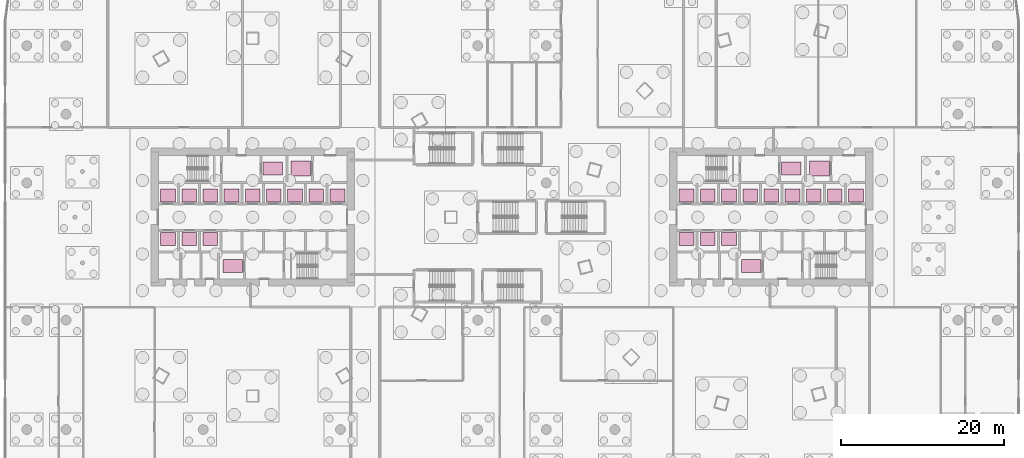
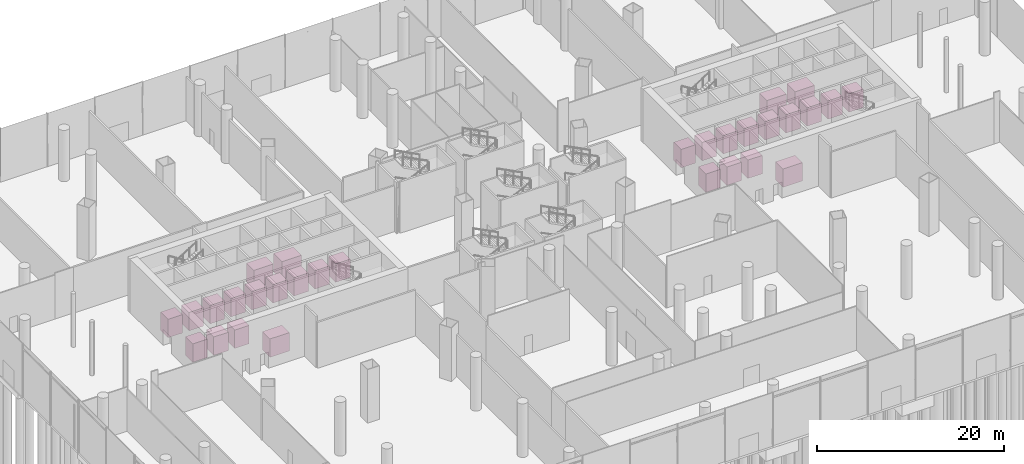
# One storey, part 41 of 41: 30 transport elements.
"""IFC4 building model written with IfcOpenShell, lengths in metres."""

from ifc_helpers import new_model, si_unit, direction, frame, origin, origin_2d, place, context, subcontext, project, spatial, rectangle, extrude, material, type_object, element, save


model = new_model("IFC4")

# Units and contexts
model_context = context("Model", 3, precision=1e-05, world=origin(), true_north=direction((0.0, 1.0)))
body_context = subcontext(model_context, "Body", "Model", "MODEL_VIEW")
ifc_project = project(units=[si_unit("LENGTHUNIT", "METRE"), si_unit("AREAUNIT", "SQUARE_METRE"), si_unit("VOLUMEUNIT", "CUBIC_METRE"), si_unit("PLANEANGLEUNIT", "RADIAN"), si_unit("MASSUNIT", "GRAM", prefix="KILO")], contexts=[model_context])

# Site, building, storey
site_placement = place(None, origin())
site = spatial("IfcSite", under=ifc_project, at=site_placement, CompositionType="ELEMENT")
building_placement = place(site_placement, origin())
building = spatial("IfcBuilding", under=site, at=building_placement, Name="Rimbun Link Towers", CompositionType="ELEMENT")
storey_placement = place(building_placement, origin())
storey = spatial("IfcBuildingStorey", under=building, at=storey_placement, Name="L00", CompositionType="ELEMENT", Elevation=0.0)

# Transport elements
ifc_material_1 = material(Name="Stainless steel grade 316", Category="steel")
transport_element_type_1 = type_object("IfcTransportElementType", Name="Firefighting lift car", PredefinedType="ELEVATOR", material=ifc_material_1)
for number, where, z_axis, x_axis, name in (
    (1, (-29.300048828125, 5.97509765625, 0.0), (0.0, 0.0, 1.0), (1.0, 0.0, 0.0), "Firefighting lift FF1 car T1"),
    (2, (-34.199951171875, -5.97509765625, 0.0), (0.0, 0.0, 1.0), (1.0, 0.0, 0.0), "Firefighting lift FF2 car T1"),
    (3, (34.199951171875, 5.97509765625, 0.0), (0.0, 0.0, 1.0), (1.0, 0.0, 0.0), "Firefighting lift FF1 car T2"),
    (4, (29.300048828125, -5.97509765625, 0.0), (0.0, 0.0, 1.0), (1.0, 0.0, 0.0), "Firefighting lift FF2 car T2"),
):
    element("IfcTransportElement", number, at=place(storey_placement, frame(where, z_axis=z_axis, x_axis=x_axis)), inside=storey, type_object=transport_element_type_1, Name=name, PredefinedType="ELEVATOR", context=body_context, shape_type="SweptSolid", body=[
        extrude(rectangle(XDim=2.39990234375, YDim=1.60009765625, at=origin_2d()), origin(), (0.0, 0.0, 1.0), 2.39990234375),
    ])
ifc_material_2 = material(Name="Stainless steel grade 316", Category="steel")
transport_element_type_2 = type_object("IfcTransportElementType", Name="Goods lift car", PredefinedType="ELEVATOR", material=ifc_material_2)
for number, where, z_axis, x_axis, name in (
    (5, (-25.85009765625, 5.97509765625, 0.0), (0.0, 0.0, 1.0), (1.0, 0.0, 0.0), "Goods lift GL1 car T1"),
    (6, (37.64990234375, 5.97509765625, 0.0), (0.0, 0.0, 1.0), (1.0, 0.0, 0.0), "Goods lift GL1 car T2"),
):
    element("IfcTransportElement", number, at=place(storey_placement, frame(where, z_axis=z_axis, x_axis=x_axis)), inside=storey, type_object=transport_element_type_2, Name=name, PredefinedType="ELEVATOR", context=body_context, shape_type="SweptSolid", body=[
        extrude(rectangle(XDim=2.39990234375, YDim=1.800048828125, at=origin_2d()), origin(), (0.0, 0.0, 1.0), 2.39990234375),
    ])
ifc_material_3 = material(Name="Stainless steel grade 316", Category="steel")
transport_element_type_3 = type_object("IfcTransportElementType", Name="Passenger lift car", PredefinedType="ELEVATOR", material=ifc_material_3)
for number, where, z_axis, x_axis, name in (
    (7, (-42.127685546875, 2.64990234375, 0.0), (0.0, 0.0, 1.0), (1.0, 0.0, 0.0), "Passenger lift low-rise LR1 car T1"),
    (8, (-39.533447265625, 2.64990234375, 0.0), (0.0, 0.0, 1.0), (1.0, 0.0, 0.0), "Passenger lift low-rise LR2 car T1"),
    (9, (-36.93896484375, 2.64990234375, 0.0), (0.0, 0.0, 1.0), (1.0, 0.0, 0.0), "Passenger lift low-rise LR3 car T1"),
    (10, (-34.344482421875, 2.64990234375, 0.0), (0.0, 0.0, 1.0), (1.0, 0.0, 0.0), "Passenger lift low-rise LR4 car T1"),
    (11, (-31.75, 2.64990234375, 0.0), (0.0, 0.0, 1.0), (1.0, 0.0, 0.0), "Passenger lift low-rise LR5 car T1"),
    (12, (-29.155517578125, 2.64990234375, 0.0), (0.0, 0.0, 1.0), (1.0, 0.0, 0.0), "Passenger lift low-rise LR6 car T1"),
    (13, (-26.56103515625, 2.64990234375, 0.0), (0.0, 0.0, 1.0), (1.0, 0.0, 0.0), "Passenger shuttle lift SH1 car T1"),
    (14, (-23.966552734375, 2.64990234375, 0.0), (0.0, 0.0, 1.0), (1.0, 0.0, 0.0), "Passenger shuttle lift SH2 car T1"),
    (15, (-21.372314453125, 2.64990234375, 0.0), (0.0, 0.0, 1.0), (1.0, 0.0, 0.0), "Passenger shuttle lift SH3 car T1"),
    (16, (-42.127685546875, -2.64990234375, 0.0), (0.0, 0.0, 1.0), (1.0, 0.0, 0.0), "Passenger shuttle lift SH4 car T1"),
    (17, (-39.533447265625, -2.64990234375, 0.0), (0.0, 0.0, 1.0), (1.0, 0.0, 0.0), "Observation express lift OB1 car T1"),
    (18, (-36.93896484375, -2.64990234375, 0.0), (0.0, 0.0, 1.0), (1.0, 0.0, 0.0), "Observation express lift OB2 car T1"),
    (19, (21.372314453125, 2.64990234375, 0.0), (0.0, 0.0, 1.0), (1.0, 0.0, 0.0), "Passenger lift low-rise LR1 car T2"),
    (20, (23.966552734375, 2.64990234375, 0.0), (0.0, 0.0, 1.0), (1.0, 0.0, 0.0), "Passenger lift low-rise LR2 car T2"),
    (21, (26.56103515625, 2.64990234375, 0.0), (0.0, 0.0, 1.0), (1.0, 0.0, 0.0), "Passenger lift low-rise LR3 car T2"),
    (22, (29.155517578125, 2.64990234375, 0.0), (0.0, 0.0, 1.0), (1.0, 0.0, 0.0), "Passenger lift low-rise LR4 car T2"),
    (23, (31.75, 2.64990234375, 0.0), (0.0, 0.0, 1.0), (1.0, 0.0, 0.0), "Passenger lift low-rise LR5 car T2"),
    (24, (34.344482421875, 2.64990234375, 0.0), (0.0, 0.0, 1.0), (1.0, 0.0, 0.0), "Passenger lift low-rise LR6 car T2"),
    (25, (36.93896484375, 2.64990234375, 0.0), (0.0, 0.0, 1.0), (1.0, 0.0, 0.0), "Passenger shuttle lift SH1 car T2"),
    (26, (39.533447265625, 2.64990234375, 0.0), (0.0, 0.0, 1.0), (1.0, 0.0, 0.0), "Passenger shuttle lift SH2 car T2"),
    (27, (42.127685546875, 2.64990234375, 0.0), (0.0, 0.0, 1.0), (1.0, 0.0, 0.0), "Passenger shuttle lift SH3 car T2"),
    (28, (21.372314453125, -2.64990234375, 0.0), (0.0, 0.0, 1.0), (1.0, 0.0, 0.0), "Passenger shuttle lift SH4 car T2"),
    (29, (23.966552734375, -2.64990234375, 0.0), (0.0, 0.0, 1.0), (1.0, 0.0, 0.0), "Observation express lift OB1 car T2"),
    (30, (26.56103515625, -2.64990234375, 0.0), (0.0, 0.0, 1.0), (1.0, 0.0, 0.0), "Observation express lift OB2 car T2"),
):
    element("IfcTransportElement", number, at=place(storey_placement, frame(where, z_axis=z_axis, x_axis=x_axis)), inside=storey, type_object=transport_element_type_3, Name=name, PredefinedType="ELEVATOR", context=body_context, shape_type="SweptSolid", body=[
        extrude(rectangle(XDim=1.800048828125, YDim=1.60009765625, at=origin_2d()), origin(), (0.0, 0.0, 1.0), 2.39990234375),
    ])

save(model, "model.ifc")
